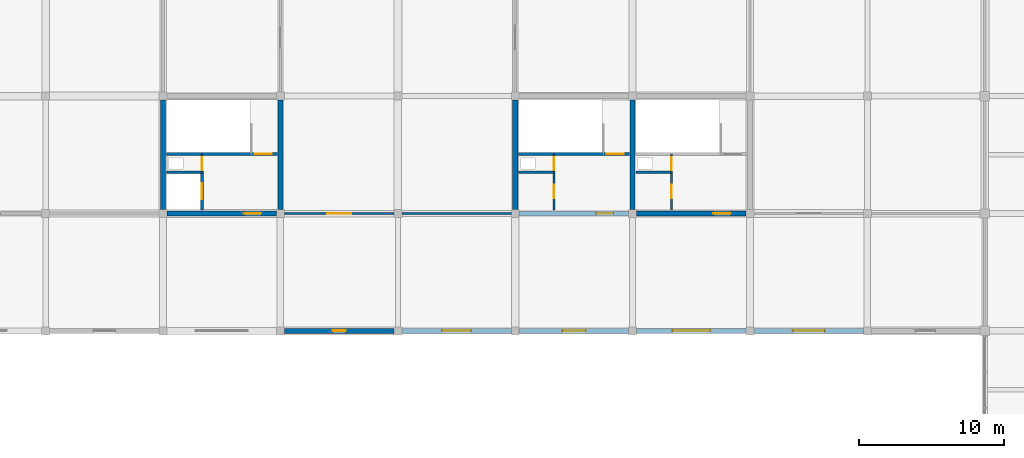
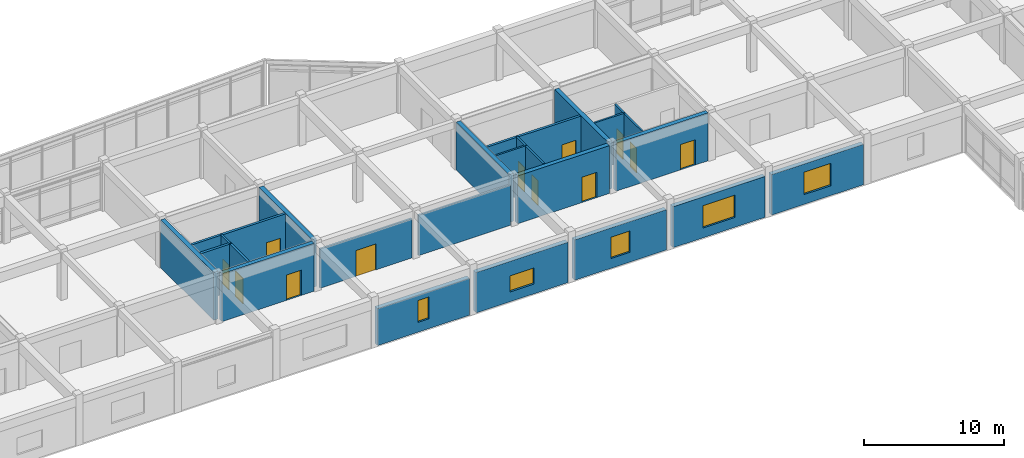
# One storey, part 27 of 40: 25 walls, 12 doors, 5 windows, 17 openings.
"""IFC4 building model written with IfcOpenShell, lengths in metres."""

from ifc_helpers import new_model, si_unit, direction, frame, frame_2d, origin, place, context, subcontext, project, spatial, rectangle, extrude, material, layer, layer_set, type_object, element, fill, save


model = new_model("IFC4")

# Units and contexts
model_context = context("Model", 3, precision=1e-05, world=origin(), true_north=direction((0.0, 1.0)))
body_context = subcontext(model_context, "Body", "Model", "MODEL_VIEW")
ifc_project = project(units=[si_unit("LENGTHUNIT", "METRE"), si_unit("AREAUNIT", "SQUARE_METRE"), si_unit("VOLUMEUNIT", "CUBIC_METRE"), si_unit("PLANEANGLEUNIT", "RADIAN"), si_unit("MASSUNIT", "GRAM", prefix="KILO")], contexts=[model_context])

# Site, building, storey
site_placement = place(None, origin())
site = spatial("IfcSite", under=ifc_project, at=site_placement, CompositionType="ELEMENT")
building_placement = place(site_placement, origin())
building = spatial("IfcBuilding", under=site, at=building_placement, Name="Vaudrelin Polytechnic", CompositionType="ELEMENT")
storey_placement = place(building_placement, frame((0.0, 0.0, 22.949951171875)))
storey = spatial("IfcBuildingStorey", under=building, at=storey_placement, Name="L05", CompositionType="ELEMENT", Elevation=22.949951171875)

# Wall, opening, window
ifc_material_1 = material(Name="Precast concrete 35 MPa with standing-seam zinc rainscreen", Category="concrete")
ifc_layer_1 = layer(ifc_material_1, 0.360107421875)
ifc_layer_set_1 = layer_set([ifc_layer_1], Name="Precast concrete 35 MPa with standing-seam zinc rainscreen")
wall_type_1 = type_object("IfcWallType", Name="WAL-EW-ZINC360", PredefinedType="STANDARD", material=ifc_layer_set_1)
wall_1_placement = place(storey_placement, frame((89.373046875, 97.199951171875, 0.0), z_axis=(0.0, 0.0, 1.0), x_axis=(1.0, 0.0, 0.0)))
wall_1 = element("IfcWall", 1, at=wall_1_placement, inside=storey, type_object=wall_type_1, Name="Exterior wall L05 S_V5_09", PredefinedType="STANDARD", context=body_context, shape_type="SweptSolid", body=[
    extrude(rectangle(XDim=7.553955078125, YDim=0.360107421875, at=frame_2d((3.77685546875, 0.0))), origin(), (0.0, 0.0, 1.0), 3.212158203125),
])
opening_1_placement = place(wall_1_placement, frame((3.326904296875, 0.0, 0.85009765625)))
opening_1 = element("IfcOpeningElement", 2, at=opening_1_placement, cuts=wall_1, Name="Opening W-L05-S-V5-10", PredefinedType="OPENING", context=body_context, shape_type="SweptSolid", body=[
    extrude(rectangle(XDim=0.89990234375, YDim=1.89990234375, at=frame_2d((0.449951171875, 0.949951171875))), frame((0.0, 0.18994140625, 0.0), z_axis=(0.0, -1.0, 0.0), x_axis=(1.0, 0.0, 0.0)), (0.0, 0.0, 1.0), 0.380126953125),
])
ifc_material_2 = material(Name="Thermally broken aluminium frame with triple low-e glazing", Category="aluminium")
window_type_1 = type_object("IfcWindowType", Name="WIN-WN-09", PartitioningType="SINGLE_PANEL", PredefinedType="WINDOW", material=ifc_material_2)
window_1_placement = place(opening_1_placement, origin())
window_1 = element("IfcWindow", 3, at=window_1_placement, inside=storey, type_object=window_type_1, Name="Facade window L05-S_V5_09", OverallHeight=1.89990234375, OverallWidth=0.89990234375, PartitioningType="SINGLE_PANEL", PredefinedType="WINDOW", context=body_context, shape_type="SweptSolid", body=[
    extrude(rectangle(XDim=0.89990234375, YDim=1.89990234375, at=frame_2d((0.449951171875, 0.949951171875))), frame((0.0, 0.030029296875, 0.0), z_axis=(0.0, -1.0, 0.0), x_axis=(1.0, 0.0, 0.0)), (0.0, 0.0, 1.0), 0.06005859375),
])
fill(opening_1, window_1)

wall_2_placement = place(storey_placement, frame((97.472900390625, 97.199951171875, 0.0), z_axis=(0.0, 0.0, 1.0), x_axis=(1.0, 0.0, 0.0)))
wall_2 = element("IfcWall", 4, at=wall_2_placement, inside=storey, type_object=wall_type_1, Name="Exterior wall L05 S_V5_10", PredefinedType="STANDARD", context=body_context, shape_type="SweptSolid", body=[
    extrude(rectangle(XDim=7.55419921875, YDim=0.360107421875, at=frame_2d((3.777099609375, 0.0))), origin(), (0.0, 0.0, 1.0), 3.511962890625),
])
opening_2_placement = place(wall_2_placement, frame((2.777099609375, 0.0, 0.85009765625)))
opening_2 = element("IfcOpeningElement", 5, at=opening_2_placement, cuts=wall_2, Name="Opening W-L05-S-V5-11", PredefinedType="OPENING", context=body_context, shape_type="SweptSolid", body=[
    extrude(rectangle(XDim=2.0, YDim=1.39990234375, at=frame_2d((1.0, 0.699951171875))), frame((0.0, 0.18994140625, 0.0), z_axis=(0.0, -1.0, 0.0), x_axis=(1.0, 0.0, 0.0)), (0.0, 0.0, 1.0), 0.380126953125),
])
window_type_2 = type_object("IfcWindowType", Name="WIN-WN-10", PartitioningType="SINGLE_PANEL", PredefinedType="WINDOW", material=ifc_material_2)
window_2_placement = place(opening_2_placement, origin())
window_2 = element("IfcWindow", 6, at=window_2_placement, inside=storey, type_object=window_type_2, Name="Facade window L05-S_V5_10", OverallHeight=1.39990234375, OverallWidth=2.0, PartitioningType="SINGLE_PANEL", PredefinedType="WINDOW", context=body_context, shape_type="SweptSolid", body=[
    extrude(rectangle(XDim=2.0, YDim=1.39990234375, at=frame_2d((1.0, 0.699951171875))), frame((0.0, 0.030029296875, 0.0), z_axis=(0.0, -1.0, 0.0), x_axis=(1.0, 0.0, 0.0)), (0.0, 0.0, 1.0), 0.06005859375),
])
fill(opening_2, window_2)

wall_3_placement = place(storey_placement, frame((105.572998046875, 97.199951171875, 0.0), z_axis=(0.0, 0.0, 1.0), x_axis=(1.0, 0.0, 0.0)))
wall_3 = element("IfcWall", 7, at=wall_3_placement, inside=storey, type_object=wall_type_1, Name="Exterior wall L05 S_V5_11", PredefinedType="STANDARD", context=body_context, shape_type="SweptSolid", body=[
    extrude(rectangle(XDim=7.553955078125, YDim=0.360107421875, at=frame_2d((3.77685546875, 0.0))), origin(), (0.0, 0.0, 1.0), 3.511962890625),
])
opening_3_placement = place(wall_3_placement, frame((2.97705078125, 0.0, 0.85009765625)))
opening_3 = element("IfcOpeningElement", 8, at=opening_3_placement, cuts=wall_3, Name="Opening W-L05-S-V5-12", PredefinedType="OPENING", context=body_context, shape_type="SweptSolid", body=[
    extrude(rectangle(XDim=1.60009765625, YDim=1.85009765625, at=frame_2d((0.800048828125, 0.925048828125))), frame((0.0, 0.18994140625, 0.0), z_axis=(0.0, -1.0, 0.0), x_axis=(1.0, 0.0, 0.0)), (0.0, 0.0, 1.0), 0.380126953125),
])
window_type_3 = type_object("IfcWindowType", Name="WIN-WN-11", PartitioningType="SINGLE_PANEL", PredefinedType="WINDOW", material=ifc_material_2)
window_3_placement = place(opening_3_placement, origin())
window_3 = element("IfcWindow", 9, at=window_3_placement, inside=storey, type_object=window_type_3, Name="Facade window L05-S_V5_11", OverallHeight=1.85009765625, OverallWidth=1.60009765625, PartitioningType="SINGLE_PANEL", PredefinedType="WINDOW", context=body_context, shape_type="SweptSolid", body=[
    extrude(rectangle(XDim=1.60009765625, YDim=1.85009765625, at=frame_2d((0.800048828125, 0.925048828125))), frame((0.0, 0.030029296875, 0.0), z_axis=(0.0, -1.0, 0.0), x_axis=(1.0, 0.0, 0.0)), (0.0, 0.0, 1.0), 0.06005859375),
])
fill(opening_3, window_3)

wall_4_placement = place(storey_placement, frame((113.673095703125, 97.199951171875, 0.0), z_axis=(0.0, 0.0, 1.0), x_axis=(1.0, 0.0, 0.0)))
wall_4 = element("IfcWall", 10, at=wall_4_placement, inside=storey, type_object=wall_type_1, Name="Exterior wall L05 S_V5_12", PredefinedType="STANDARD", context=body_context, shape_type="SweptSolid", body=[
    extrude(rectangle(XDim=7.553955078125, YDim=0.360107421875, at=frame_2d((3.77685546875, 0.0))), origin(), (0.0, 0.0, 1.0), 3.56201171875),
])
opening_4_placement = place(wall_4_placement, frame((2.47705078125, 0.0, 0.85009765625)))
opening_4 = element("IfcOpeningElement", 11, at=opening_4_placement, cuts=wall_4, Name="Opening W-L05-S-V5-13", PredefinedType="OPENING", context=body_context, shape_type="SweptSolid", body=[
    extrude(rectangle(XDim=2.60009765625, YDim=1.949951171875, at=frame_2d((1.300048828125, 0.97509765625))), frame((0.0, 0.18994140625, 0.0), z_axis=(0.0, -1.0, 0.0), x_axis=(1.0, 0.0, 0.0)), (0.0, 0.0, 1.0), 0.380126953125),
])
window_type_4 = type_object("IfcWindowType", Name="WIN-WN-12", PartitioningType="SINGLE_PANEL", PredefinedType="WINDOW", material=ifc_material_2)
window_4_placement = place(opening_4_placement, origin())
window_4 = element("IfcWindow", 12, at=window_4_placement, inside=storey, type_object=window_type_4, Name="Facade window L05-S_V5_12", OverallHeight=1.949951171875, OverallWidth=2.60009765625, PartitioningType="SINGLE_PANEL", PredefinedType="WINDOW", context=body_context, shape_type="SweptSolid", body=[
    extrude(rectangle(XDim=2.60009765625, YDim=1.949951171875, at=frame_2d((1.300048828125, 0.97509765625))), frame((0.0, 0.030029296875, 0.0), z_axis=(0.0, -1.0, 0.0), x_axis=(1.0, 0.0, 0.0)), (0.0, 0.0, 1.0), 0.06005859375),
])
fill(opening_4, window_4)

wall_5_placement = place(storey_placement, frame((121.77294921875, 97.199951171875, 0.0), z_axis=(0.0, 0.0, 1.0), x_axis=(1.0, 0.0, 0.0)))
wall_5 = element("IfcWall", 13, at=wall_5_placement, inside=storey, type_object=wall_type_1, Name="Exterior wall L05 S_V5_13", PredefinedType="STANDARD", context=body_context, shape_type="SweptSolid", body=[
    extrude(rectangle(XDim=7.553955078125, YDim=0.360107421875, at=frame_2d((3.77685546875, 0.0))), origin(), (0.0, 0.0, 1.0), 3.511962890625),
])
opening_5_placement = place(wall_5_placement, frame((2.677001953125, 0.0, 0.85009765625)))
opening_5 = element("IfcOpeningElement", 14, at=opening_5_placement, cuts=wall_5, Name="Opening W-L05-S-V5-14", PredefinedType="OPENING", context=body_context, shape_type="SweptSolid", body=[
    extrude(rectangle(XDim=2.199951171875, YDim=1.949951171875, at=frame_2d((1.10009765625, 0.97509765625))), frame((0.0, 0.18994140625, 0.0), z_axis=(0.0, -1.0, 0.0), x_axis=(1.0, 0.0, 0.0)), (0.0, 0.0, 1.0), 0.380126953125),
])
window_type_5 = type_object("IfcWindowType", Name="WIN-WN-13", PartitioningType="SINGLE_PANEL", PredefinedType="WINDOW", material=ifc_material_2)
window_5_placement = place(opening_5_placement, origin())
window_5 = element("IfcWindow", 15, at=window_5_placement, inside=storey, type_object=window_type_5, Name="Facade window L05-S_V5_13", OverallHeight=1.949951171875, OverallWidth=2.199951171875, PartitioningType="SINGLE_PANEL", PredefinedType="WINDOW", context=body_context, shape_type="SweptSolid", body=[
    extrude(rectangle(XDim=2.199951171875, YDim=1.949951171875, at=frame_2d((1.10009765625, 0.97509765625))), frame((0.0, 0.030029296875, 0.0), z_axis=(0.0, -1.0, 0.0), x_axis=(1.0, 0.0, 0.0)), (0.0, 0.0, 1.0), 0.06005859375),
])
fill(opening_5, window_5)

# Wall, opening, door
ifc_material_3 = material(Name="Fire-rated steel-stud gypsum compartment wall", Category="steel")
ifc_layer_2 = layer(ifc_material_3, 0.14990234375)
ifc_layer_set_2 = layer_set([ifc_layer_2], Name="Fire-rated steel-stud gypsum compartment wall")
wall_type_2 = type_object("IfcWallType", Name="WAL-PW-FIRE60", PredefinedType="PARTITIONING", material=ifc_layer_set_2)
wall_6_placement = place(storey_placement, frame((83.679931640625, 108.14990234375, 0.0), z_axis=(0.0, 0.0, 1.0), x_axis=(0.0, 1.0, 0.0)))
wall_6 = element("IfcWall", 16, at=wall_6_placement, inside=storey, type_object=wall_type_2, Name="Core C2 riser enclosure wall L05", PredefinedType="PARTITIONING", context=body_context, shape_type="SweptSolid", body=[
    extrude(rectangle(XDim=1.260009765625, YDim=0.14990234375, at=frame_2d((0.6298828125, 0.0))), origin(), (0.0, 0.0, 1.0), 4.162109375),
])
opening_6_placement = place(wall_6_placement, frame((0.139892578125, 0.0, 0.0)))
opening_6 = element("IfcOpeningElement", 17, at=opening_6_placement, cuts=wall_6, Name="Opening D-L05-044", PredefinedType="OPENING", context=body_context, shape_type="SweptSolid", body=[
    extrude(rectangle(XDim=0.89990234375, YDim=2.14990234375, at=frame_2d((0.449951171875, 1.074951171875))), frame((0.0, 0.0849609375, 0.0), z_axis=(0.0, -1.0, 0.0), x_axis=(1.0, 0.0, 0.0)), (0.0, 0.0, 1.0), 0.169921875),
])
ifc_material_4 = material(Name="Pressed galvanised steel acoustic leaf", Category="steel")
door_type_1 = type_object("IfcDoorType", Name="DOR-ID-RSR1", OperationType="NOTDEFINED", PredefinedType="DOOR", material=ifc_material_4)
door_1_placement = place(opening_6_placement, origin())
door_1 = element("IfcDoor", 18, at=door_1_placement, inside=storey, type_object=door_type_1, Name="Core C2 riser access door L05", OperationType="SINGLE_SWING_RIGHT", OverallHeight=2.14990234375, OverallWidth=0.89990234375, PredefinedType="DOOR", context=body_context, shape_type="SweptSolid", body=[
    extrude(rectangle(XDim=0.89990234375, YDim=2.14990234375, at=frame_2d((0.449951171875, 1.074951171875))), frame((0.0, 0.02490234375, 0.0), z_axis=(0.0, -1.0, 0.0), x_axis=(1.0, 0.0, 0.0)), (0.0, 0.0, 1.0), 0.050048828125),
])
fill(opening_6, door_1)

wall_7_placement = place(storey_placement, frame((116.080078125, 108.14990234375, 0.0), z_axis=(0.0, 0.0, 1.0), x_axis=(0.0, 1.0, 0.0)))
wall_7 = element("IfcWall", 19, at=wall_7_placement, inside=storey, type_object=wall_type_2, Name="Core C10 riser enclosure wall L05", PredefinedType="PARTITIONING", context=body_context, shape_type="SweptSolid", body=[
    extrude(rectangle(XDim=1.260009765625, YDim=0.14990234375, at=frame_2d((0.6298828125, 0.0))), origin(), (0.0, 0.0, 1.0), 4.162109375),
])
opening_7_placement = place(wall_7_placement, frame((0.139892578125, 0.0, 0.0)))
opening_7 = element("IfcOpeningElement", 20, at=opening_7_placement, cuts=wall_7, Name="Opening D-L05-230", PredefinedType="OPENING", context=body_context, shape_type="SweptSolid", body=[
    extrude(rectangle(XDim=0.89990234375, YDim=2.14990234375, at=frame_2d((0.449951171875, 1.074951171875))), frame((0.0, 0.0849609375, 0.0), z_axis=(0.0, -1.0, 0.0), x_axis=(1.0, 0.0, 0.0)), (0.0, 0.0, 1.0), 0.169921875),
])
door_2_placement = place(opening_7_placement, origin())
door_2 = element("IfcDoor", 21, at=door_2_placement, inside=storey, type_object=door_type_1, Name="Core C10 riser access door L05", OperationType="SINGLE_SWING_RIGHT", OverallHeight=2.14990234375, OverallWidth=0.89990234375, PredefinedType="DOOR", context=body_context, shape_type="SweptSolid", body=[
    extrude(rectangle(XDim=0.89990234375, YDim=2.14990234375, at=frame_2d((0.449951171875, 1.074951171875))), frame((0.0, 0.02490234375, 0.0), z_axis=(0.0, -1.0, 0.0), x_axis=(1.0, 0.0, 0.0)), (0.0, 0.0, 1.0), 0.050048828125),
])
fill(opening_7, door_2)

# Wall
wall_8_placement = place(storey_placement, frame((113.6201171875, 108.14990234375, 0.0), z_axis=(0.0, 0.0, 1.0), x_axis=(1.0, 0.0, 0.0)))
element("IfcWall", 22, at=wall_8_placement, inside=storey, type_object=wall_type_2, Name="Core C10 riser south fire wall L05", PredefinedType="PARTITIONING", context=body_context, shape_type="SweptSolid", body=[
    extrude(rectangle(XDim=2.52978515625, YDim=0.14990234375, at=frame_2d((1.264892578125, 0.0))), origin(), (0.0, 0.0, 1.0), 4.162109375),
])

# Wall, opening, door
wall_9_placement = place(storey_placement, frame((116.080078125, 105.550048828125, 0.0), z_axis=(0.0, 0.0, 1.0), x_axis=(0.0, 1.0, 0.0)))
wall_9 = element("IfcWall", 23, at=wall_9_placement, inside=storey, type_object=wall_type_2, Name="Core C10 custodial enclosure wall L05", PredefinedType="PARTITIONING", context=body_context, shape_type="SweptSolid", body=[
    extrude(rectangle(XDim=2.599853515625, YDim=0.14990234375, at=frame_2d((1.2998046875, 0.0))), origin(), (0.0, 0.0, 1.0), 4.162109375),
])
opening_8_placement = place(wall_9_placement, frame((0.800048828125, 0.0, 0.0)))
opening_8 = element("IfcOpeningElement", 24, at=opening_8_placement, cuts=wall_9, Name="Opening D-L05-231", PredefinedType="OPENING", context=body_context, shape_type="SweptSolid", body=[
    extrude(rectangle(XDim=0.949951171875, YDim=2.14990234375, at=frame_2d((0.47509765625, 1.074951171875))), frame((0.0, 0.0849609375, 0.0), z_axis=(0.0, -1.0, 0.0), x_axis=(1.0, 0.0, 0.0)), (0.0, 0.0, 1.0), 0.169921875),
])
door_type_2 = type_object("IfcDoorType", Name="DOR-ID-STR1", OperationType="NOTDEFINED", PredefinedType="DOOR", material=ifc_material_4)
door_3_placement = place(opening_8_placement, origin())
door_3 = element("IfcDoor", 25, at=door_3_placement, inside=storey, type_object=door_type_2, Name="Core C10 custodial door L05", OperationType="SINGLE_SWING_RIGHT", OverallHeight=2.14990234375, OverallWidth=0.949951171875, PredefinedType="DOOR", context=body_context, shape_type="SweptSolid", body=[
    extrude(rectangle(XDim=0.949951171875, YDim=2.14990234375, at=frame_2d((0.47509765625, 1.074951171875))), frame((0.0, 0.02490234375, 0.0), z_axis=(0.0, -1.0, 0.0), x_axis=(1.0, 0.0, 0.0)), (0.0, 0.0, 1.0), 0.050048828125),
])
fill(opening_8, door_3)

wall_10_placement = place(storey_placement, frame((107.97998046875, 108.14990234375, 0.0), z_axis=(0.0, 0.0, 1.0), x_axis=(0.0, 1.0, 0.0)))
wall_10 = element("IfcWall", 26, at=wall_10_placement, inside=storey, type_object=wall_type_2, Name="Core C11 riser enclosure wall L05", PredefinedType="PARTITIONING", context=body_context, shape_type="SweptSolid", body=[
    extrude(rectangle(XDim=1.260009765625, YDim=0.14990234375, at=frame_2d((0.6298828125, 0.0))), origin(), (0.0, 0.0, 1.0), 4.162109375),
])
opening_9_placement = place(wall_10_placement, frame((0.139892578125, 0.0, 0.0)))
opening_9 = element("IfcOpeningElement", 27, at=opening_9_placement, cuts=wall_10, Name="Opening D-L05-259", PredefinedType="OPENING", context=body_context, shape_type="SweptSolid", body=[
    extrude(rectangle(XDim=0.89990234375, YDim=2.14990234375, at=frame_2d((0.449951171875, 1.074951171875))), frame((0.0, 0.0849609375, 0.0), z_axis=(0.0, -1.0, 0.0), x_axis=(1.0, 0.0, 0.0)), (0.0, 0.0, 1.0), 0.169921875),
])
door_4_placement = place(opening_9_placement, origin())
door_4 = element("IfcDoor", 28, at=door_4_placement, inside=storey, type_object=door_type_1, Name="Core C11 riser access door L05", OperationType="SINGLE_SWING_RIGHT", OverallHeight=2.14990234375, OverallWidth=0.89990234375, PredefinedType="DOOR", context=body_context, shape_type="SweptSolid", body=[
    extrude(rectangle(XDim=0.89990234375, YDim=2.14990234375, at=frame_2d((0.449951171875, 1.074951171875))), frame((0.0, 0.02490234375, 0.0), z_axis=(0.0, -1.0, 0.0), x_axis=(1.0, 0.0, 0.0)), (0.0, 0.0, 1.0), 0.050048828125),
])
fill(opening_9, door_4)

# Wall
wall_11_placement = place(storey_placement, frame((105.52001953125, 108.14990234375, 0.0), z_axis=(0.0, 0.0, 1.0), x_axis=(1.0, 0.0, 0.0)))
element("IfcWall", 29, at=wall_11_placement, inside=storey, type_object=wall_type_2, Name="Core C11 riser south fire wall L05", PredefinedType="PARTITIONING", context=body_context, shape_type="SweptSolid", body=[
    extrude(rectangle(XDim=2.530029296875, YDim=0.14990234375, at=frame_2d((1.26513671875, 0.0))), origin(), (0.0, 0.0, 1.0), 4.162109375),
])

# Wall, opening, door
wall_12_placement = place(storey_placement, frame((107.97998046875, 105.550048828125, 0.0), z_axis=(0.0, 0.0, 1.0), x_axis=(0.0, 1.0, 0.0)))
wall_12 = element("IfcWall", 30, at=wall_12_placement, inside=storey, type_object=wall_type_2, Name="Core C11 custodial enclosure wall L05", PredefinedType="PARTITIONING", context=body_context, shape_type="SweptSolid", body=[
    extrude(rectangle(XDim=2.599853515625, YDim=0.14990234375, at=frame_2d((1.2998046875, 0.0))), origin(), (0.0, 0.0, 1.0), 4.162109375),
])
opening_10_placement = place(wall_12_placement, frame((0.800048828125, 0.0, 0.0)))
opening_10 = element("IfcOpeningElement", 31, at=opening_10_placement, cuts=wall_12, Name="Opening D-L05-260", PredefinedType="OPENING", context=body_context, shape_type="SweptSolid", body=[
    extrude(rectangle(XDim=0.949951171875, YDim=2.14990234375, at=frame_2d((0.47509765625, 1.074951171875))), frame((0.0, 0.0849609375, 0.0), z_axis=(0.0, -1.0, 0.0), x_axis=(1.0, 0.0, 0.0)), (0.0, 0.0, 1.0), 0.169921875),
])
door_5_placement = place(opening_10_placement, origin())
door_5 = element("IfcDoor", 32, at=door_5_placement, inside=storey, type_object=door_type_2, Name="Core C11 custodial door L05", OperationType="SINGLE_SWING_RIGHT", OverallHeight=2.14990234375, OverallWidth=0.949951171875, PredefinedType="DOOR", context=body_context, shape_type="SweptSolid", body=[
    extrude(rectangle(XDim=0.949951171875, YDim=2.14990234375, at=frame_2d((0.47509765625, 1.074951171875))), frame((0.0, 0.02490234375, 0.0), z_axis=(0.0, -1.0, 0.0), x_axis=(1.0, 0.0, 0.0)), (0.0, 0.0, 1.0), 0.050048828125),
])
fill(opening_10, door_5)

ifc_material_5 = material(Name="Pin-up plywood & acoustic gypsum studio partition", Category="wood")
ifc_layer_3 = layer(ifc_material_5, 0.14990234375)
ifc_layer_set_3 = layer_set([ifc_layer_3], Name="Pin-up plywood & acoustic gypsum studio partition")
wall_type_3 = type_object("IfcWallType", Name="WAL-PW-STU150", PredefinedType="PARTITIONING", material=ifc_layer_set_3)
wall_13_placement = place(storey_placement, frame((89.373046875, 105.300048828125, 0.0), z_axis=(0.0, 0.0, 1.0), x_axis=(1.0, 0.0, 0.0)))
wall_13 = element("IfcWall", 33, at=wall_13_placement, inside=storey, type_object=wall_type_3, Name="Partition L05-004 S", PredefinedType="PARTITIONING", context=body_context, shape_type="SweptSolid", body=[
    extrude(rectangle(XDim=7.553955078125, YDim=0.14990234375, at=frame_2d((3.77685546875, 0.0))), origin(), (0.0, 0.0, 1.0), 3.412109375),
])
opening_11_placement = place(wall_13_placement, frame((2.95703125, 0.0, 0.0)))
opening_11 = element("IfcOpeningElement", 34, at=opening_11_placement, cuts=wall_13, Name="Opening D-L05-543", PredefinedType="OPENING", context=body_context, shape_type="SweptSolid", body=[
    extrude(rectangle(XDim=1.639892578125, YDim=2.25, at=frame_2d((0.81982421875, 1.125))), frame((0.0, 0.0849609375, 0.0), z_axis=(0.0, -1.0, 0.0), x_axis=(1.0, 0.0, 0.0)), (0.0, 0.0, 1.0), 0.169921875),
])
ifc_material_6 = material(Name="Solid-core birch veneer acoustic leaf", Category="wood")
door_type_3 = type_object("IfcDoorType", Name="DOR-ID-STU2", OperationType="NOTDEFINED", PredefinedType="DOOR", material=ifc_material_6)
door_6_placement = place(opening_11_placement, origin())
door_6 = element("IfcDoor", 35, at=door_6_placement, inside=storey, type_object=door_type_3, Name="Senior Capstone Design Studio door L05-004", OperationType="DOUBLE_SWING_LEFT", OverallHeight=2.25, OverallWidth=1.639892578125, PredefinedType="DOOR", context=body_context, shape_type="SweptSolid", body=[
    extrude(rectangle(XDim=1.639892578125, YDim=2.25, at=frame_2d((0.81982421875, 1.125))), frame((0.0, 0.02490234375, 0.0), z_axis=(0.0, -1.0, 0.0), x_axis=(1.0, 0.0, 0.0)), (0.0, 0.0, 1.0), 0.050048828125),
])
fill(opening_11, door_6)

# Wall
wall_14_placement = place(storey_placement, frame((97.472900390625, 105.300048828125, 0.0), z_axis=(0.0, 0.0, 1.0), x_axis=(1.0, 0.0, 0.0)))
element("IfcWall", 36, at=wall_14_placement, inside=storey, type_object=wall_type_3, Name="Partition L05-004 S", PredefinedType="PARTITIONING", context=body_context, shape_type="SweptSolid", body=[
    extrude(rectangle(XDim=7.55419921875, YDim=0.14990234375, at=frame_2d((3.777099609375, 0.0))), origin(), (0.0, 0.0, 1.0), 3.511962890625),
])

# Wall, opening, door
ifc_material_7 = material(Name="Concrete 40 MPa", Category="concrete")
ifc_layer_4 = layer(ifc_material_7, 0.199951171875)
ifc_layer_set_4 = layer_set([ifc_layer_4], Name="Concrete 40 MPa")
wall_type_4 = type_object("IfcWallType", Name="WAL-SW-CORE200", PredefinedType="SHEAR", material=ifc_layer_set_4)
wall_15_placement = place(storey_placement, frame((81.219970703125, 109.409912109375, 0.0), z_axis=(0.0, 0.0, 1.0), x_axis=(1.0, 0.0, 0.0)))
wall_15 = element("IfcWall", 37, at=wall_15_placement, inside=storey, type_object=wall_type_4, Name="Core C2 stair enclosure wall L05", PredefinedType="SHEAR", context=body_context, shape_type="SweptSolid", body=[
    extrude(rectangle(XDim=7.659912109375, YDim=0.199951171875, at=frame_2d((3.830078125, 0.0))), origin(), (0.0, 0.0, 1.0), 4.162109375),
])
opening_12_placement = place(wall_15_placement, frame((6.110107421875, 0.0, 0.0)))
opening_12 = element("IfcOpeningElement", 38, at=opening_12_placement, cuts=wall_15, Name="Opening D-L05-043", PredefinedType="OPENING", context=body_context, shape_type="SweptSolid", body=[
    extrude(rectangle(XDim=1.14990234375, YDim=2.199951171875, at=frame_2d((0.574951171875, 1.10009765625))), frame((0.0, 0.10986328125, 0.0), z_axis=(0.0, -1.0, 0.0), x_axis=(1.0, 0.0, 0.0)), (0.0, 0.0, 1.0), 0.219970703125),
])
door_type_4 = type_object("IfcDoorType", Name="DOR-ID-ST1", OperationType="NOTDEFINED", PredefinedType="DOOR", material=ifc_material_4)
door_7_placement = place(opening_12_placement, origin())
door_7 = element("IfcDoor", 39, at=door_7_placement, inside=storey, type_object=door_type_4, Name="Core C2 exit stair door L05", OperationType="SINGLE_SWING_LEFT", OverallHeight=2.199951171875, OverallWidth=1.14990234375, PredefinedType="DOOR", context=body_context, shape_type="SweptSolid", body=[
    extrude(rectangle(XDim=1.14990234375, YDim=2.199951171875, at=frame_2d((0.574951171875, 1.10009765625))), frame((0.0, 0.02490234375, 0.0), z_axis=(0.0, -1.0, 0.0), x_axis=(1.0, 0.0, 0.0)), (0.0, 0.0, 1.0), 0.050048828125),
])
fill(opening_12, door_7)

wall_16_placement = place(storey_placement, frame((83.679931640625, 105.550048828125, 0.0), z_axis=(0.0, 0.0, 1.0), x_axis=(0.0, 1.0, 0.0)))
wall_16 = element("IfcWall", 40, at=wall_16_placement, inside=storey, type_object=wall_type_4, Name="Lift LF-02 shaft front wall L05", PredefinedType="SHEAR", context=body_context, shape_type="SweptSolid", body=[
    extrude(rectangle(XDim=2.599853515625, YDim=0.199951171875, at=frame_2d((1.2998046875, 0.0))), origin(), (0.0, 0.0, 1.0), 4.162109375),
])
opening_13_placement = place(wall_16_placement, frame((0.75, 0.0, 0.0)))
opening_13 = element("IfcOpeningElement", 41, at=opening_13_placement, cuts=wall_16, Name="Opening LD-LF-02-L05", PredefinedType="OPENING", context=body_context, shape_type="SweptSolid", body=[
    extrude(rectangle(XDim=1.10009765625, YDim=2.199951171875, at=frame_2d((0.550048828125, 1.10009765625))), frame((0.0, 0.10986328125, 0.0), z_axis=(0.0, -1.0, 0.0), x_axis=(1.0, 0.0, 0.0)), (0.0, 0.0, 1.0), 0.219970703125),
])
ifc_material_8 = material(Name="Brushed stainless steel AISI 304", Category="steel")
door_type_5 = type_object("IfcDoorType", Name="DOR-LD-PAX", OperationType="SLIDING_TO_LEFT", PredefinedType="DOOR", material=ifc_material_8)
door_8_placement = place(opening_13_placement, origin())
door_8 = element("IfcDoor", 42, at=door_8_placement, inside=storey, type_object=door_type_5, Name="Lift LF-02 landing door L05", OperationType="SLIDING_TO_LEFT", OverallHeight=2.199951171875, OverallWidth=1.10009765625, PredefinedType="DOOR", context=body_context, shape_type="SweptSolid", body=[
    extrude(rectangle(XDim=1.10009765625, YDim=2.199951171875, at=frame_2d((0.550048828125, 1.10009765625))), frame((0.0, 0.02490234375, 0.0), z_axis=(0.0, -1.0, 0.0), x_axis=(1.0, 0.0, 0.0)), (0.0, 0.0, 1.0), 0.050048828125),
])
fill(opening_13, door_8)

# Wall
wall_17_placement = place(storey_placement, frame((81.219970703125, 108.14990234375, 0.0), z_axis=(0.0, 0.0, 1.0), x_axis=(1.0, 0.0, 0.0)))
element("IfcWall", 43, at=wall_17_placement, inside=storey, type_object=wall_type_4, Name="Lift LF-02 shaft north wall L05", PredefinedType="SHEAR", context=body_context, shape_type="SweptSolid", body=[
    extrude(rectangle(XDim=2.56005859375, YDim=0.199951171875, at=frame_2d((1.280029296875, 0.0))), origin(), (0.0, 0.0, 1.0), 4.162109375),
])

# Wall, opening, door
wall_18_placement = place(storey_placement, frame((105.52001953125, 109.409912109375, 0.0), z_axis=(0.0, 0.0, 1.0), x_axis=(1.0, 0.0, 0.0)))
wall_18 = element("IfcWall", 44, at=wall_18_placement, inside=storey, type_object=wall_type_4, Name="Core C11 stair enclosure wall L05", PredefinedType="SHEAR", context=body_context, shape_type="SweptSolid", body=[
    extrude(rectangle(XDim=7.659912109375, YDim=0.199951171875, at=frame_2d((3.830078125, 0.0))), origin(), (0.0, 0.0, 1.0), 4.162109375),
])
opening_14_placement = place(wall_18_placement, frame((6.110107421875, 0.0, 0.0)))
opening_14 = element("IfcOpeningElement", 45, at=opening_14_placement, cuts=wall_18, Name="Opening D-L05-258", PredefinedType="OPENING", context=body_context, shape_type="SweptSolid", body=[
    extrude(rectangle(XDim=1.14990234375, YDim=2.199951171875, at=frame_2d((0.574951171875, 1.10009765625))), frame((0.0, 0.10986328125, 0.0), z_axis=(0.0, -1.0, 0.0), x_axis=(1.0, 0.0, 0.0)), (0.0, 0.0, 1.0), 0.219970703125),
])
door_9_placement = place(opening_14_placement, origin())
door_9 = element("IfcDoor", 46, at=door_9_placement, inside=storey, type_object=door_type_4, Name="Core C11 exit stair door L05", OperationType="SINGLE_SWING_LEFT", OverallHeight=2.199951171875, OverallWidth=1.14990234375, PredefinedType="DOOR", context=body_context, shape_type="SweptSolid", body=[
    extrude(rectangle(XDim=1.14990234375, YDim=2.199951171875, at=frame_2d((0.574951171875, 1.10009765625))), frame((0.0, 0.02490234375, 0.0), z_axis=(0.0, -1.0, 0.0), x_axis=(1.0, 0.0, 0.0)), (0.0, 0.0, 1.0), 0.050048828125),
])
fill(opening_14, door_9)

# Walls
ifc_material_9 = material(Name="Concrete 50 MPa", Category="concrete")
ifc_layer_5 = layer(ifc_material_9, 0.35009765625)
ifc_layer_set_5 = layer_set([ifc_layer_5], Name="Concrete 50 MPa")
wall_type_5 = type_object("IfcWallType", Name="WAL-SW-CORE350", PredefinedType="SHEAR", material=ifc_layer_set_5)
for number, where, z_axis, x_axis, name in (
    (47, (81.0, 105.572998046875, 0.0), (0.0, 0.0, 1.0), (0.0, 1.0, 0.0), "Core C2 W shear wall L05"),
    (48, (89.10009765625, 105.572998046875, 0.0), (0.0, 0.0, 1.0), (0.0, 1.0, 0.0), "Core C2 E shear wall L05"),
):
    element("IfcWall", number, at=place(storey_placement, frame(where, z_axis=z_axis, x_axis=x_axis)), inside=storey, type_object=wall_type_5, Name=name, PredefinedType="SHEAR", context=body_context, shape_type="SweptSolid", body=[
        extrude(rectangle(XDim=7.553955078125, YDim=0.35009765625, at=frame_2d((3.77685546875, 0.0))), origin(), (0.0, 0.0, 1.0), 4.162109375),
    ])

# Wall, opening, door
wall_19_placement = place(storey_placement, frame((81.27294921875, 105.300048828125, 0.0), z_axis=(0.0, 0.0, 1.0), x_axis=(1.0, 0.0, 0.0)))
wall_19 = element("IfcWall", 49, at=wall_19_placement, inside=storey, type_object=wall_type_5, Name="Core C2 S shear wall L05", PredefinedType="SHEAR", context=body_context, shape_type="SweptSolid", body=[
    extrude(rectangle(XDim=7.553955078125, YDim=0.35009765625, at=frame_2d((3.77685546875, 0.0))), origin(), (0.0, 0.0, 1.0), 4.162109375),
])
opening_15_placement = place(wall_19_placement, frame((5.303955078125, 0.0, 0.0)))
opening_15 = element("IfcOpeningElement", 50, at=opening_15_placement, cuts=wall_19, Name="Opening D-L05-042", PredefinedType="OPENING", context=body_context, shape_type="SweptSolid", body=[
    extrude(rectangle(XDim=1.199951171875, YDim=2.199951171875, at=frame_2d((0.60009765625, 1.10009765625))), frame((0.0, 0.18505859375, 0.0), z_axis=(0.0, -1.0, 0.0), x_axis=(1.0, 0.0, 0.0)), (0.0, 0.0, 1.0), 0.3701171875),
])
door_type_6 = type_object("IfcDoorType", Name="DOR-ID-LB1", OperationType="NOTDEFINED", PredefinedType="DOOR", material=ifc_material_4)
door_10_placement = place(opening_15_placement, origin())
door_10 = element("IfcDoor", 51, at=door_10_placement, inside=storey, type_object=door_type_6, Name="Core C2 lobby fire door L05", OperationType="SINGLE_SWING_LEFT", OverallHeight=2.199951171875, OverallWidth=1.199951171875, PredefinedType="DOOR", context=body_context, shape_type="SweptSolid", body=[
    extrude(rectangle(XDim=1.199951171875, YDim=2.199951171875, at=frame_2d((0.60009765625, 1.10009765625))), frame((0.0, 0.02490234375, 0.0), z_axis=(0.0, -1.0, 0.0), x_axis=(1.0, 0.0, 0.0)), (0.0, 0.0, 1.0), 0.050048828125),
])
fill(opening_15, door_10)

# Wall
wall_20_placement = place(storey_placement, frame((113.39990234375, 105.572998046875, 0.0), z_axis=(0.0, 0.0, 1.0), x_axis=(0.0, 1.0, 0.0)))
element("IfcWall", 52, at=wall_20_placement, inside=storey, type_object=wall_type_5, Name="Core C10 W shear wall L05", PredefinedType="SHEAR", context=body_context, shape_type="SweptSolid", body=[
    extrude(rectangle(XDim=7.553955078125, YDim=0.35009765625, at=frame_2d((3.77685546875, 0.0))), origin(), (0.0, 0.0, 1.0), 4.162109375),
])

# Wall, opening, door
wall_21_placement = place(storey_placement, frame((113.673095703125, 105.300048828125, 0.0), z_axis=(0.0, 0.0, 1.0), x_axis=(1.0, 0.0, 0.0)))
wall_21 = element("IfcWall", 53, at=wall_21_placement, inside=storey, type_object=wall_type_5, Name="Core C10 S shear wall L05", PredefinedType="SHEAR", context=body_context, shape_type="SweptSolid", body=[
    extrude(rectangle(XDim=7.553955078125, YDim=0.35009765625, at=frame_2d((3.77685546875, 0.0))), origin(), (0.0, 0.0, 1.0), 4.162109375),
])
opening_16_placement = place(wall_21_placement, frame((5.303955078125, 0.0, 0.0)))
opening_16 = element("IfcOpeningElement", 54, at=opening_16_placement, cuts=wall_21, Name="Opening D-L05-228", PredefinedType="OPENING", context=body_context, shape_type="SweptSolid", body=[
    extrude(rectangle(XDim=1.199951171875, YDim=2.199951171875, at=frame_2d((0.60009765625, 1.10009765625))), frame((0.0, 0.18505859375, 0.0), z_axis=(0.0, -1.0, 0.0), x_axis=(1.0, 0.0, 0.0)), (0.0, 0.0, 1.0), 0.3701171875),
])
door_11_placement = place(opening_16_placement, origin())
door_11 = element("IfcDoor", 55, at=door_11_placement, inside=storey, type_object=door_type_6, Name="Core C10 lobby fire door L05", OperationType="SINGLE_SWING_LEFT", OverallHeight=2.199951171875, OverallWidth=1.199951171875, PredefinedType="DOOR", context=body_context, shape_type="SweptSolid", body=[
    extrude(rectangle(XDim=1.199951171875, YDim=2.199951171875, at=frame_2d((0.60009765625, 1.10009765625))), frame((0.0, 0.02490234375, 0.0), z_axis=(0.0, -1.0, 0.0), x_axis=(1.0, 0.0, 0.0)), (0.0, 0.0, 1.0), 0.050048828125),
])
fill(opening_16, door_11)

# Wall
wall_22_placement = place(storey_placement, frame((105.300048828125, 105.572998046875, 0.0), z_axis=(0.0, 0.0, 1.0), x_axis=(0.0, 1.0, 0.0)))
element("IfcWall", 56, at=wall_22_placement, inside=storey, type_object=wall_type_5, Name="Core C11 W shear wall L05", PredefinedType="SHEAR", context=body_context, shape_type="SweptSolid", body=[
    extrude(rectangle(XDim=7.553955078125, YDim=0.35009765625, at=frame_2d((3.77685546875, 0.0))), origin(), (0.0, 0.0, 1.0), 4.162109375),
])

# Wall, opening, door
wall_23_placement = place(storey_placement, frame((105.572998046875, 105.300048828125, 0.0), z_axis=(0.0, 0.0, 1.0), x_axis=(1.0, 0.0, 0.0)))
wall_23 = element("IfcWall", 57, at=wall_23_placement, inside=storey, type_object=wall_type_5, Name="Core C11 S shear wall L05", PredefinedType="SHEAR", context=body_context, shape_type="SweptSolid", body=[
    extrude(rectangle(XDim=7.553955078125, YDim=0.35009765625, at=frame_2d((3.77685546875, 0.0))), origin(), (0.0, 0.0, 1.0), 4.162109375),
])
opening_17_placement = place(wall_23_placement, frame((5.303955078125, 0.0, 0.0)))
opening_17 = element("IfcOpeningElement", 58, at=opening_17_placement, cuts=wall_23, Name="Opening D-L05-257", PredefinedType="OPENING", context=body_context, shape_type="SweptSolid", body=[
    extrude(rectangle(XDim=1.199951171875, YDim=2.199951171875, at=frame_2d((0.60009765625, 1.10009765625))), frame((0.0, 0.18505859375, 0.0), z_axis=(0.0, -1.0, 0.0), x_axis=(1.0, 0.0, 0.0)), (0.0, 0.0, 1.0), 0.3701171875),
])
door_12_placement = place(opening_17_placement, origin())
door_12 = element("IfcDoor", 59, at=door_12_placement, inside=storey, type_object=door_type_6, Name="Core C11 lobby fire door L05", OperationType="SINGLE_SWING_RIGHT", OverallHeight=2.199951171875, OverallWidth=1.199951171875, PredefinedType="DOOR", context=body_context, shape_type="SweptSolid", body=[
    extrude(rectangle(XDim=1.199951171875, YDim=2.199951171875, at=frame_2d((0.60009765625, 1.10009765625))), frame((0.0, 0.02490234375, 0.0), z_axis=(0.0, -1.0, 0.0), x_axis=(1.0, 0.0, 0.0)), (0.0, 0.0, 1.0), 0.050048828125),
])
fill(opening_17, door_12)

save(model, "model.ifc")
